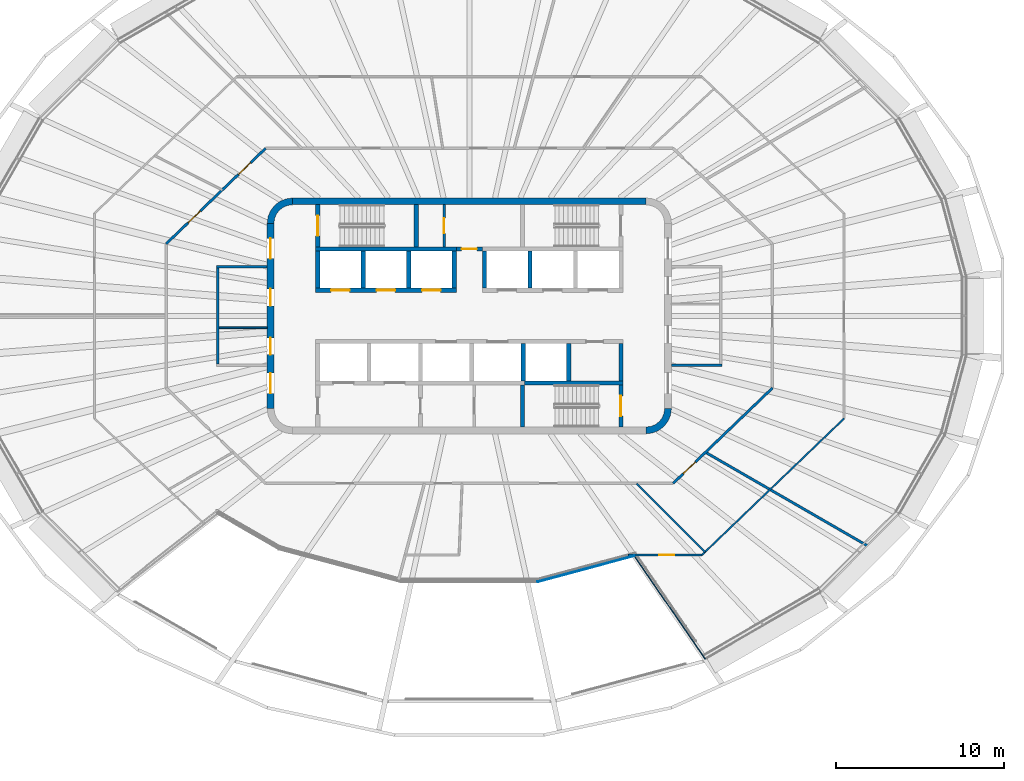
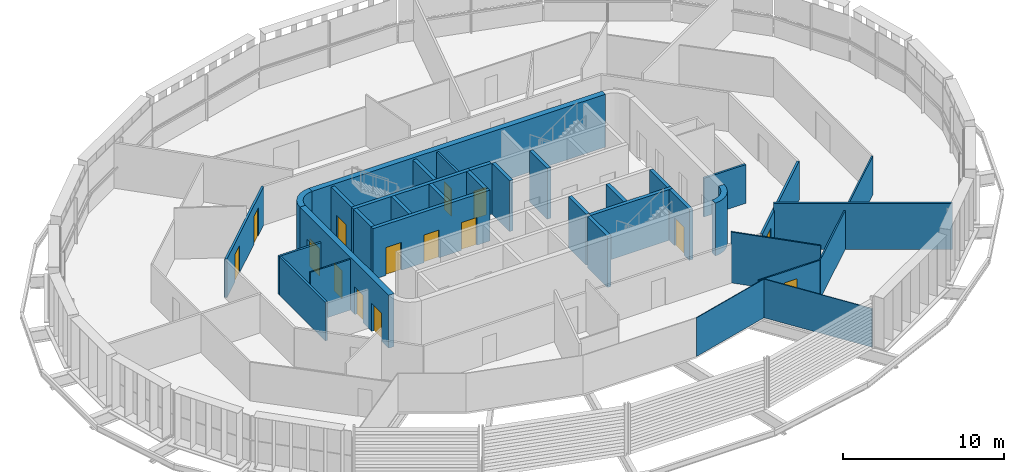
# One storey, part 11 of 19: 34 walls, 15 doors, 15 openings.
"""IFC4 building model written with IfcOpenShell, lengths in metres."""

from ifc_helpers import new_model, si_unit, direction, frame, frame_2d, origin, place, context, subcontext, project, spatial, polyline, rectangle, outline, extrude, material, layer, layer_set, type_object, element, fill, save


model = new_model("IFC4")

# Units and contexts
model_context = context("Model", 3, precision=1e-05, world=origin(), true_north=direction((0.0, 1.0)))
body_context = subcontext(model_context, "Body", "Model", "MODEL_VIEW")
ifc_project = project(units=[si_unit("LENGTHUNIT", "METRE"), si_unit("AREAUNIT", "SQUARE_METRE"), si_unit("VOLUMEUNIT", "CUBIC_METRE"), si_unit("PLANEANGLEUNIT", "RADIAN"), si_unit("MASSUNIT", "GRAM", prefix="KILO")], contexts=[model_context])

# Site, building, storey
site_placement = place(None, origin())
site = spatial("IfcSite", under=ifc_project, at=site_placement, CompositionType="ELEMENT")
building_placement = place(site_placement, origin())
building = spatial("IfcBuilding", under=site, at=building_placement, Name="Sahrelin Media Tower", CompositionType="ELEMENT")
storey_placement = place(building_placement, frame((0.0, 0.0, 275.0)))
storey = spatial("IfcBuildingStorey", under=building, at=storey_placement, Name="L60", CompositionType="ELEMENT", Elevation=275.0)

# Wall
ifc_material_1 = material(Name="Concrete C60/75", Category="concrete")
ifc_layer_1 = layer(ifc_material_1, 0.39990234375)
ifc_layer_set_1 = layer_set([ifc_layer_1], Name="Core wall 400")
wall_type_1 = type_object("IfcWallType", Name="Core wall 400", PredefinedType="SHEAR", material=ifc_layer_set_1)
wall_1_placement = place(storey_placement, frame((-10.5, 6.800048828125, 0.0), z_axis=(0.0, 0.0, 1.0), x_axis=(1.0, 0.0, 0.0)))
element("IfcWall", 1, at=wall_1_placement, inside=storey, type_object=wall_type_1, Name="Core wall N L60", PredefinedType="SHEAR", context=body_context, shape_type="SweptSolid", body=[
    extrude(rectangle(XDim=21.0, YDim=0.39990234375, at=frame_2d((10.5, 0.0))), origin(), (0.0, 0.0, 1.0), 4.0),
])

# Wall, openings, doors
wall_2_placement = place(storey_placement, frame((-11.800048828125, -5.5, 0.0), z_axis=(0.0, 0.0, 1.0), x_axis=(0.0, 1.0, 0.0)))
wall_2 = element("IfcWall", 2, at=wall_2_placement, inside=storey, type_object=wall_type_1, Name="Core wall W L60", PredefinedType="SHEAR", context=body_context, shape_type="SweptSolid", body=[
    extrude(rectangle(XDim=11.0, YDim=0.39990234375, at=frame_2d((5.5, 0.0))), origin(), (0.0, 0.0, 1.0), 4.0),
])
opening_1_placement = place(wall_2_placement, frame((3.199951171875, 0.0, 0.0)))
opening_1 = element("IfcOpeningElement", 3, at=opening_1_placement, cuts=wall_2, Name="Opening L60-D10", PredefinedType="OPENING", context=body_context, shape_type="SweptSolid", body=[
    extrude(rectangle(XDim=1.0, YDim=2.10009765625, at=frame_2d((0.5, 1.050048828125))), frame((0.0, 0.199951171875, 0.0), z_axis=(0.0, -1.0, 0.0), x_axis=(1.0, 0.0, 0.0)), (0.0, 0.0, 1.0), 0.39990234375),
])
opening_2_placement = place(wall_2_placement, frame((6.10009765625, 0.0, 0.0)))
opening_2 = element("IfcOpeningElement", 4, at=opening_2_placement, cuts=wall_2, Name="Opening L60-D11", PredefinedType="OPENING", context=body_context, shape_type="SweptSolid", body=[
    extrude(rectangle(XDim=1.0, YDim=2.10009765625, at=frame_2d((0.5, 1.050048828125))), frame((0.0, 0.199951171875, 0.0), z_axis=(0.0, -1.0, 0.0), x_axis=(1.0, 0.0, 0.0)), (0.0, 0.0, 1.0), 0.39990234375),
])
opening_3_placement = place(wall_2_placement, frame((0.89990234375, 0.0, 0.0)))
opening_3 = element("IfcOpeningElement", 5, at=opening_3_placement, cuts=wall_2, Name="Opening L60-D14", PredefinedType="OPENING", context=body_context, shape_type="SweptSolid", body=[
    extrude(rectangle(XDim=1.199951171875, YDim=2.10009765625, at=frame_2d((0.60009765625, 1.050048828125))), frame((0.0, 0.199951171875, 0.0), z_axis=(0.0, -1.0, 0.0), x_axis=(1.0, 0.0, 0.0)), (0.0, 0.0, 1.0), 0.39990234375),
])
opening_4_placement = place(wall_2_placement, frame((8.89990234375, 0.0, 0.0)))
opening_4 = element("IfcOpeningElement", 6, at=opening_4_placement, cuts=wall_2, Name="Opening L60-D15", PredefinedType="OPENING", context=body_context, shape_type="SweptSolid", body=[
    extrude(rectangle(XDim=1.199951171875, YDim=2.10009765625, at=frame_2d((0.60009765625, 1.050048828125))), frame((0.0, 0.199951171875, 0.0), z_axis=(0.0, -1.0, 0.0), x_axis=(1.0, 0.0, 0.0)), (0.0, 0.0, 1.0), 0.39990234375),
])
ifc_material_2 = material(Name="Steel fire door leaf", Category="steel")
door_type_1 = type_object("IfcDoorType", Name="Fire door 1000 x 2100 EI 60", OperationType="NOTDEFINED", PredefinedType="DOOR", material=ifc_material_2)
door_1_placement = place(opening_1_placement, origin())
door_1 = element("IfcDoor", 7, at=door_1_placement, inside=storey, type_object=door_type_1, Name="Core room door", OperationType="SINGLE_SWING_RIGHT", OverallHeight=2.10009765625, OverallWidth=1.0, PredefinedType="DOOR", context=body_context, shape_type="SweptSolid", body=[
    extrude(rectangle(XDim=1.0, YDim=2.10009765625, at=frame_2d((0.5, 1.050048828125))), frame((0.0, 0.02490234375, 0.0), z_axis=(0.0, -1.0, 0.0), x_axis=(1.0, 0.0, 0.0)), (0.0, 0.0, 1.0), 0.050048828125),
])
fill(opening_1, door_1)
door_2_placement = place(opening_2_placement, origin())
door_2 = element("IfcDoor", 8, at=door_2_placement, inside=storey, type_object=door_type_1, Name="Core room door", OperationType="SINGLE_SWING_RIGHT", OverallHeight=2.10009765625, OverallWidth=1.0, PredefinedType="DOOR", context=body_context, shape_type="SweptSolid", body=[
    extrude(rectangle(XDim=1.0, YDim=2.10009765625, at=frame_2d((0.5, 1.050048828125))), frame((0.0, 0.02490234375, 0.0), z_axis=(0.0, -1.0, 0.0), x_axis=(1.0, 0.0, 0.0)), (0.0, 0.0, 1.0), 0.050048828125),
])
fill(opening_2, door_2)
door_type_2 = type_object("IfcDoorType", Name="Lobby door 1200 x 2100 EI 60", OperationType="NOTDEFINED", PredefinedType="DOOR", material=ifc_material_2)
door_3_placement = place(opening_3_placement, origin())
door_3 = element("IfcDoor", 9, at=door_3_placement, inside=storey, type_object=door_type_2, Name="Lobby door", OperationType="SINGLE_SWING_LEFT", OverallHeight=2.10009765625, OverallWidth=1.199951171875, PredefinedType="DOOR", context=body_context, shape_type="SweptSolid", body=[
    extrude(rectangle(XDim=1.199951171875, YDim=2.10009765625, at=frame_2d((0.60009765625, 1.050048828125))), frame((0.0, 0.02490234375, 0.0), z_axis=(0.0, -1.0, 0.0), x_axis=(1.0, 0.0, 0.0)), (0.0, 0.0, 1.0), 0.050048828125),
])
fill(opening_3, door_3)
door_4_placement = place(opening_4_placement, origin())
door_4 = element("IfcDoor", 10, at=door_4_placement, inside=storey, type_object=door_type_2, Name="Lobby door", OperationType="SINGLE_SWING_LEFT", OverallHeight=2.10009765625, OverallWidth=1.199951171875, PredefinedType="DOOR", context=body_context, shape_type="SweptSolid", body=[
    extrude(rectangle(XDim=1.199951171875, YDim=2.10009765625, at=frame_2d((0.60009765625, 1.050048828125))), frame((0.0, 0.02490234375, 0.0), z_axis=(0.0, -1.0, 0.0), x_axis=(1.0, 0.0, 0.0)), (0.0, 0.0, 1.0), 0.050048828125),
])
fill(opening_4, door_4)

# Walls
placement = place(storey_placement, origin())
element("IfcWall", 11, at=placement, inside=storey, type_object=wall_type_1, Name="Core wall corner NW L60", PredefinedType="SHEAR", context=body_context, shape_type="SweptSolid", body=[
    extrude(outline(polyline([(-12.0, 5.5), (-11.596435546875, 5.5), (-11.55908203125, 5.78369140625), (-11.44970703125, 6.04833984375), (-11.275390625, 6.275390625), (-11.04833984375, 6.44970703125), (-10.78369140625, 6.55908203125), (-10.5, 6.596435546875), (-10.5, 7.0), (-10.88818359375, 6.948974609375), (-11.25, 6.799072265625), (-11.560791015625, 6.560791015625), (-11.799072265625, 6.25), (-11.948974609375, 5.88818359375), (-12.0, 5.5)])), origin(), (0.0, 0.0, 1.0), 4.0),
])
element("IfcWall", 12, at=placement, inside=storey, type_object=wall_type_1, Name="Core wall corner SE L60", PredefinedType="SHEAR", context=body_context, shape_type="SweptSolid", body=[
    extrude(outline(polyline([(12.0, -5.5), (11.596435546875, -5.5), (11.55908203125, -5.78369140625), (11.44970703125, -6.04833984375), (11.275390625, -6.275390625), (11.04833984375, -6.44970703125), (10.78369140625, -6.55908203125), (10.5, -6.596435546875), (10.5, -7.0), (10.88818359375, -6.948974609375), (11.25, -6.799072265625), (11.560791015625, -6.560791015625), (11.799072265625, -6.25), (11.948974609375, -5.88818359375), (12.0, -5.5)])), origin(), (0.0, 0.0, 1.0), 4.0),
])

# Wall, opening, door
ifc_material_3 = material(Name="Fire-rated gypsum board partition")
ifc_layer_2 = layer(ifc_material_3, 0.25)
ifc_layer_set_2 = layer_set([ifc_layer_2], Name="Fire-rated lobby wall 250")
wall_type_2 = type_object("IfcWallType", Name="Fire-rated lobby wall 250", PredefinedType="PARTITIONING", material=ifc_layer_set_2)
wall_5_placement = place(storey_placement, frame((-0.77490234375, 3.97509765625, 0.0), z_axis=(0.0, 0.0, 1.0), x_axis=(1.0, 0.0, 0.0)))
wall_5 = element("IfcWall", 13, at=wall_5_placement, inside=storey, type_object=wall_type_2, Name="Core lobby wall", PredefinedType="PARTITIONING", context=body_context, shape_type="SweptSolid", body=[
    extrude(rectangle(XDim=1.5498046875, YDim=0.25, at=frame_2d((0.77490234375, 0.0))), origin(), (0.0, 0.0, 1.0), 3.85009765625),
])
opening_5_placement = place(wall_5_placement, frame((0.324951171875, 0.0, 0.0)))
opening_5 = element("IfcOpeningElement", 14, at=opening_5_placement, cuts=wall_5, Name="Opening L60-D06", PredefinedType="OPENING", context=body_context, shape_type="SweptSolid", body=[
    extrude(rectangle(XDim=0.89990234375, YDim=2.10009765625, at=frame_2d((0.449951171875, 1.050048828125))), frame((0.0, 0.125, 0.0), z_axis=(0.0, -1.0, 0.0), x_axis=(1.0, 0.0, 0.0)), (0.0, 0.0, 1.0), 0.25),
])
door_type_3 = type_object("IfcDoorType", Name="Riser door 900 x 2100 EI 120", OperationType="NOTDEFINED", PredefinedType="DOOR", material=ifc_material_2)
door_5_placement = place(opening_5_placement, origin())
door_5 = element("IfcDoor", 15, at=door_5_placement, inside=storey, type_object=door_type_3, Name="Core room door", OperationType="SINGLE_SWING_LEFT", OverallHeight=2.10009765625, OverallWidth=0.89990234375, PredefinedType="DOOR", context=body_context, shape_type="SweptSolid", body=[
    extrude(rectangle(XDim=0.89990234375, YDim=2.10009765625, at=frame_2d((0.449951171875, 1.050048828125))), frame((0.0, 0.02490234375, 0.0), z_axis=(0.0, -1.0, 0.0), x_axis=(1.0, 0.0, 0.0)), (0.0, 0.0, 1.0), 0.050048828125),
])
fill(opening_5, door_5)

# Wall
ifc_layer_3 = layer(ifc_material_3, 0.10009765625)
ifc_layer_set_3 = layer_set([ifc_layer_3], Name="Fire-rated partition 100")
wall_type_3 = type_object("IfcWallType", Name="Fire-rated partition 100", PredefinedType="PARTITIONING", material=ifc_layer_set_3)
wall_6_placement = place(storey_placement, frame((-14.85009765625, -0.699951171875, 0.0), z_axis=(0.0, 0.0, 1.0), x_axis=(1.0, 0.0, 0.0)))
element("IfcWall", 16, at=wall_6_placement, inside=storey, type_object=wall_type_3, Name="Core room partition", PredefinedType="PARTITIONING", context=body_context, shape_type="SweptSolid", body=[
    extrude(rectangle(XDim=2.85009765625, YDim=0.10009765625, at=frame_2d((1.425048828125, 0.0))), origin(), (0.0, 0.0, 1.0), 3.85009765625),
])

# Wall, opening, door
ifc_layer_4 = layer(ifc_material_3, 0.14990234375)
ifc_layer_set_4 = layer_set([ifc_layer_4], Name="Fire-rated partition 150")
wall_type_4 = type_object("IfcWallType", Name="Fire-rated partition 150", PredefinedType="PARTITIONING", material=ifc_layer_set_4)
wall_7_placement = place(storey_placement, frame((-1.5, 4.10009765625, 0.0), z_axis=(0.0, 0.0, 1.0), x_axis=(0.0, 1.0, 0.0)))
wall_7 = element("IfcWall", 17, at=wall_7_placement, inside=storey, type_object=wall_type_4, Name="Core room fire partition", PredefinedType="PARTITIONING", context=body_context, shape_type="SweptSolid", body=[
    extrude(rectangle(XDim=2.5, YDim=0.14990234375, at=frame_2d((1.25, 0.0))), origin(), (0.0, 0.0, 1.0), 3.85009765625),
])
opening_6_placement = place(wall_7_placement, frame((0.800048828125, 0.0, 0.0)))
opening_6 = element("IfcOpeningElement", 18, at=opening_6_placement, cuts=wall_7, Name="Opening L60-D07", PredefinedType="OPENING", context=body_context, shape_type="SweptSolid", body=[
    extrude(rectangle(XDim=0.89990234375, YDim=2.10009765625, at=frame_2d((0.449951171875, 1.050048828125))), frame((0.0, 0.074951171875, 0.0), z_axis=(0.0, -1.0, 0.0), x_axis=(1.0, 0.0, 0.0)), (0.0, 0.0, 1.0), 0.14990234375),
])
door_type_4 = type_object("IfcDoorType", Name="Fire door 900 x 2100 EI 60", OperationType="NOTDEFINED", PredefinedType="DOOR", material=ifc_material_2)
door_6_placement = place(opening_6_placement, origin())
door_6 = element("IfcDoor", 19, at=door_6_placement, inside=storey, type_object=door_type_4, Name="Core room door", OperationType="SINGLE_SWING_LEFT", OverallHeight=2.10009765625, OverallWidth=0.89990234375, PredefinedType="DOOR", context=body_context, shape_type="SweptSolid", body=[
    extrude(rectangle(XDim=0.89990234375, YDim=2.10009765625, at=frame_2d((0.449951171875, 1.050048828125))), frame((0.0, 0.02490234375, 0.0), z_axis=(0.0, -1.0, 0.0), x_axis=(1.0, 0.0, 0.0)), (0.0, 0.0, 1.0), 0.050048828125),
])
fill(opening_6, door_6)

# Walls
wall_8_placement = place(storey_placement, frame((-14.925048828125, -2.85009765625, 0.0), z_axis=(0.0, 0.0, 1.0), x_axis=(0.0, 1.0, 0.0)))
element("IfcWall", 20, at=wall_8_placement, inside=storey, type_object=wall_type_4, Name="Core room fire partition", PredefinedType="PARTITIONING", context=body_context, shape_type="SweptSolid", body=[
    extrude(rectangle(XDim=5.7001953125, YDim=0.14990234375, at=frame_2d((2.85009765625, 0.0))), origin(), (0.0, 0.0, 1.0), 2.918212890625),
])
for number, where, z_axis, x_axis, name in (
    (21, (-15.0, 2.925048828125, 0.0), (0.0, 0.0, 1.0), (1.0, 0.0, 0.0), "Core room fire partition"),
    (22, (12.0, -2.925048828125, 0.0), (0.0, 0.0, 1.0), (1.0, 0.0, 0.0), "Core room fire partition"),
):
    element("IfcWall", number, at=place(storey_placement, frame(where, z_axis=z_axis, x_axis=x_axis)), inside=storey, type_object=wall_type_4, Name=name, PredefinedType="PARTITIONING", context=body_context, shape_type="SweptSolid", body=[
        extrude(rectangle(XDim=3.0, YDim=0.14990234375, at=frame_2d((1.5, 0.0))), origin(), (0.0, 0.0, 1.0), 2.927001953125),
    ])
wall_9_placement = place(storey_placement, frame((14.02392578125, -8.096923828125, 0.0), z_axis=(0.0, 0.0, 1.0), x_axis=(0.86601678782, -0.50001492299, 0.0)))
element("IfcWall", 23, at=wall_9_placement, inside=storey, type_object=wall_type_4, Name="Wall", PredefinedType="PARTITIONING", context=body_context, shape_type="SweptSolid", body=[
    extrude(rectangle(XDim=11.103759765625, YDim=0.14990234375, at=frame_2d((5.5517578125, 0.0))), origin(), (0.0, 0.0, 1.0), 3.47509765625),
])

# Wall, opening, door
wall_10_placement = place(storey_placement, frame((12.094970703125, -9.948974609375, 0.0), z_axis=(0.0, 0.0, 1.0), x_axis=(0.721290181137, 0.692633001376, 0.0)))
wall_10 = element("IfcWall", 24, at=wall_10_placement, inside=storey, type_object=wall_type_4, Name="Wall", PredefinedType="PARTITIONING", context=body_context, shape_type="SweptSolid", body=[
    extrude(rectangle(XDim=8.18701171875, YDim=0.14990234375, at=frame_2d((4.093505859375, 0.0))), origin(), (0.0, 0.0, 1.0), 2.927001953125),
])
opening_7_placement = place(wall_10_placement, frame((0.839111328125, 0.0, 0.0)))
opening_7 = element("IfcOpeningElement", 25, at=opening_7_placement, cuts=wall_10, Name="Opening L60-D23", PredefinedType="OPENING", context=body_context, shape_type="SweptSolid", body=[
    extrude(rectangle(XDim=1.0, YDim=2.10009765625, at=frame_2d((0.5, 1.050048828125))), frame((0.0, 0.074951171875, 0.0), z_axis=(0.0, -1.0, 0.0), x_axis=(1.0, 0.0, 0.0)), (0.0, 0.0, 1.0), 0.14990234375),
])
door_7_placement = place(opening_7_placement, origin())
door_7 = element("IfcDoor", 26, at=door_7_placement, inside=storey, type_object=door_type_1, Name="Fire door", OperationType="SINGLE_SWING_RIGHT", OverallHeight=2.10009765625, OverallWidth=1.0, PredefinedType="DOOR", context=body_context, shape_type="SweptSolid", body=[
    extrude(rectangle(XDim=1.0, YDim=2.10009765625, at=frame_2d((0.5, 1.050048828125))), frame((0.0, 0.02490234375, 0.0), z_axis=(0.0, -1.0, 0.0), x_axis=(1.0, 0.0, 0.0)), (0.0, 0.0, 1.0), 0.050048828125),
])
fill(opening_7, door_7)

# Wall, openings, doors
wall_11_placement = place(storey_placement, frame((-18.0, 4.278076171875, 0.0), z_axis=(0.0, 0.0, 1.0), x_axis=(0.721290181137, 0.692633001376, 0.0)))
wall_11 = element("IfcWall", 27, at=wall_11_placement, inside=storey, type_object=wall_type_4, Name="Wall", PredefinedType="PARTITIONING", context=body_context, shape_type="SweptSolid", body=[
    extrude(rectangle(XDim=8.18701171875, YDim=0.14990234375, at=frame_2d((4.093505859375, 0.0))), origin(), (0.0, 0.0, 1.0), 2.927001953125),
])
opening_8_placement = place(wall_11_placement, frame((5.954833984375, 0.0, 0.0)))
opening_8 = element("IfcOpeningElement", 28, at=opening_8_placement, cuts=wall_11, Name="Opening L60-D34", PredefinedType="OPENING", context=body_context, shape_type="SweptSolid", body=[
    extrude(rectangle(XDim=1.0, YDim=2.10009765625, at=frame_2d((0.5, 1.050048828125))), frame((0.0, 0.074951171875, 0.0), z_axis=(0.0, -1.0, 0.0), x_axis=(1.0, 0.0, 0.0)), (0.0, 0.0, 1.0), 0.14990234375),
])
opening_9_placement = place(wall_11_placement, frame((1.80810546875, 0.0, 0.0)))
opening_9 = element("IfcOpeningElement", 29, at=opening_9_placement, cuts=wall_11, Name="Opening L60-D35", PredefinedType="OPENING", context=body_context, shape_type="SweptSolid", body=[
    extrude(rectangle(XDim=1.0, YDim=2.10009765625, at=frame_2d((0.5, 1.050048828125))), frame((0.0, 0.074951171875, 0.0), z_axis=(0.0, -1.0, 0.0), x_axis=(1.0, 0.0, 0.0)), (0.0, 0.0, 1.0), 0.14990234375),
])
door_8_placement = place(opening_8_placement, origin())
door_8 = element("IfcDoor", 30, at=door_8_placement, inside=storey, type_object=door_type_1, Name="Fire door", OperationType="SINGLE_SWING_RIGHT", OverallHeight=2.10009765625, OverallWidth=1.0, PredefinedType="DOOR", context=body_context, shape_type="SweptSolid", body=[
    extrude(rectangle(XDim=1.0, YDim=2.10009765625, at=frame_2d((0.5, 1.050048828125))), frame((0.0, 0.02490234375, 0.0), z_axis=(0.0, -1.0, 0.0), x_axis=(1.0, 0.0, 0.0)), (0.0, 0.0, 1.0), 0.050048828125),
])
fill(opening_8, door_8)
door_9_placement = place(opening_9_placement, origin())
door_9 = element("IfcDoor", 31, at=door_9_placement, inside=storey, type_object=door_type_1, Name="Fire door", OperationType="SINGLE_SWING_RIGHT", OverallHeight=2.10009765625, OverallWidth=1.0, PredefinedType="DOOR", context=body_context, shape_type="SweptSolid", body=[
    extrude(rectangle(XDim=1.0, YDim=2.10009765625, at=frame_2d((0.5, 1.050048828125))), frame((0.0, 0.02490234375, 0.0), z_axis=(0.0, -1.0, 0.0), x_axis=(1.0, 0.0, 0.0)), (0.0, 0.0, 1.0), 0.050048828125),
])
fill(opening_9, door_9)

# Walls
ifc_material_4 = material(Name="Clear glass", Category="glass")
ifc_layer_5 = layer(ifc_material_4, 0.050048828125)
ifc_layer_set_5 = layer_set([ifc_layer_5], Name="Glazed partition 50")
wall_type_5 = type_object("IfcWallType", Name="Glazed partition 50", PredefinedType="PARTITIONING", material=ifc_layer_set_5)
wall_12_placement = place(storey_placement, frame((9.797119140625, -14.2509765625, 0.0), z_axis=(0.0, 0.0, 1.0), x_axis=(0.566456270614, -0.824091799184, 0.0)))
element("IfcWall", 32, at=wall_12_placement, inside=storey, type_object=wall_type_5, Name="Wall", PredefinedType="PARTITIONING", context=body_context, shape_type="SweptSolid", body=[
    extrude(rectangle(XDim=7.426513671875, YDim=0.050048828125, at=frame_2d((3.71337890625, 0.0))), origin(), (0.0, 0.0, 1.0), 2.927001953125),
])
wall_13_placement = place(storey_placement, frame((4.053955078125, -15.7900390625, 0.0), z_axis=(0.0, 0.0, 1.0), x_axis=(0.965719156344, 0.259589119708, 0.0)))
element("IfcWall", 33, at=wall_13_placement, inside=storey, type_object=wall_type_5, Name="Wall", PredefinedType="PARTITIONING", context=body_context, shape_type="SweptSolid", body=[
    extrude(rectangle(XDim=5.94580078125, YDim=0.050048828125, at=frame_2d((2.972900390625, 0.0))), origin(), (0.0, 0.0, 1.0), 2.927001953125),
])

# Wall, openings, doors
ifc_layer_6 = layer(ifc_material_1, 0.25)
ifc_layer_set_6 = layer_set([ifc_layer_6], Name="Lift shaft wall 250")
wall_type_6 = type_object("IfcWallType", Name="Lift shaft wall 250", PredefinedType="SOLIDWALL", material=ifc_layer_set_6)
wall_14_placement = place(storey_placement, frame((-9.125, 1.52490234375, 0.0), z_axis=(0.0, 0.0, 1.0), x_axis=(1.0, 0.0, 0.0)))
wall_14 = element("IfcWall", 34, at=wall_14_placement, inside=storey, type_object=wall_type_6, Name="Lift shaft wall", PredefinedType="SOLIDWALL", context=body_context, shape_type="SweptSolid", body=[
    extrude(rectangle(XDim=8.35009765625, YDim=0.25, at=frame_2d((4.175048828125, 0.0))), origin(), (0.0, 0.0, 1.0), 3.85009765625),
])
opening_10_placement = place(wall_14_placement, frame((0.925048828125, 0.0, 0.0)))
opening_10 = element("IfcOpeningElement", 35, at=opening_10_placement, cuts=wall_14, Name="Opening L60-LD-HR1", PredefinedType="OPENING", context=body_context, shape_type="SweptSolid", body=[
    extrude(rectangle(XDim=1.10009765625, YDim=2.10009765625, at=frame_2d((0.550048828125, 1.050048828125))), frame((0.0, 0.125, 0.0), z_axis=(0.0, -1.0, 0.0), x_axis=(1.0, 0.0, 0.0)), (0.0, 0.0, 1.0), 0.25),
])
opening_11_placement = place(wall_14_placement, frame((3.625, 0.0, 0.0)))
opening_11 = element("IfcOpeningElement", 36, at=opening_11_placement, cuts=wall_14, Name="Opening L60-LD-HR2", PredefinedType="OPENING", context=body_context, shape_type="SweptSolid", body=[
    extrude(rectangle(XDim=1.10009765625, YDim=2.10009765625, at=frame_2d((0.550048828125, 1.050048828125))), frame((0.0, 0.125, 0.0), z_axis=(0.0, -1.0, 0.0), x_axis=(1.0, 0.0, 0.0)), (0.0, 0.0, 1.0), 0.25),
])
opening_12_placement = place(wall_14_placement, frame((6.324951171875, 0.0, 0.0)))
opening_12 = element("IfcOpeningElement", 37, at=opening_12_placement, cuts=wall_14, Name="Opening L60-LD-HR3", PredefinedType="OPENING", context=body_context, shape_type="SweptSolid", body=[
    extrude(rectangle(XDim=1.10009765625, YDim=2.10009765625, at=frame_2d((0.550048828125, 1.050048828125))), frame((0.0, 0.125, 0.0), z_axis=(0.0, -1.0, 0.0), x_axis=(1.0, 0.0, 0.0)), (0.0, 0.0, 1.0), 0.25),
])
ifc_material_5 = material(Name="Stainless steel", Category="steel")
door_type_5 = type_object("IfcDoorType", Name="Lift landing door 1100 x 2100 EI 120", OperationType="DOUBLE_DOOR_SLIDING", PredefinedType="DOOR", material=ifc_material_5)
door_10_placement = place(opening_10_placement, origin())
door_10 = element("IfcDoor", 38, at=door_10_placement, inside=storey, type_object=door_type_5, Name="Lift landing door HR1", OperationType="DOUBLE_DOOR_SLIDING", OverallHeight=2.10009765625, OverallWidth=1.10009765625, PredefinedType="DOOR", context=body_context, shape_type="SweptSolid", body=[
    extrude(rectangle(XDim=1.10009765625, YDim=2.10009765625, at=frame_2d((0.550048828125, 1.050048828125))), frame((0.0, 0.02490234375, 0.0), z_axis=(0.0, -1.0, 0.0), x_axis=(1.0, 0.0, 0.0)), (0.0, 0.0, 1.0), 0.050048828125),
])
fill(opening_10, door_10)
door_11_placement = place(opening_11_placement, origin())
door_11 = element("IfcDoor", 39, at=door_11_placement, inside=storey, type_object=door_type_5, Name="Lift landing door HR2", OperationType="DOUBLE_DOOR_SLIDING", OverallHeight=2.10009765625, OverallWidth=1.10009765625, PredefinedType="DOOR", context=body_context, shape_type="SweptSolid", body=[
    extrude(rectangle(XDim=1.10009765625, YDim=2.10009765625, at=frame_2d((0.550048828125, 1.050048828125))), frame((0.0, 0.02490234375, 0.0), z_axis=(0.0, -1.0, 0.0), x_axis=(1.0, 0.0, 0.0)), (0.0, 0.0, 1.0), 0.050048828125),
])
fill(opening_11, door_11)
door_12_placement = place(opening_12_placement, origin())
door_12 = element("IfcDoor", 40, at=door_12_placement, inside=storey, type_object=door_type_5, Name="Lift landing door HR3", OperationType="DOUBLE_DOOR_SLIDING", OverallHeight=2.10009765625, OverallWidth=1.10009765625, PredefinedType="DOOR", context=body_context, shape_type="SweptSolid", body=[
    extrude(rectangle(XDim=1.10009765625, YDim=2.10009765625, at=frame_2d((0.550048828125, 1.050048828125))), frame((0.0, 0.02490234375, 0.0), z_axis=(0.0, -1.0, 0.0), x_axis=(1.0, 0.0, 0.0)), (0.0, 0.0, 1.0), 0.050048828125),
])
fill(opening_12, door_12)

# Walls
wall_15_placement = place(storey_placement, frame((-9.125, 3.97509765625, 0.0), z_axis=(0.0, 0.0, 1.0), x_axis=(1.0, 0.0, 0.0)))
element("IfcWall", 41, at=wall_15_placement, inside=storey, type_object=wall_type_6, Name="Lift shaft wall", PredefinedType="SOLIDWALL", context=body_context, shape_type="SweptSolid", body=[
    extrude(rectangle(XDim=8.35009765625, YDim=0.25, at=frame_2d((4.175048828125, 0.0))), origin(), (0.0, 0.0, 1.0), 3.85009765625),
])
for number, where, z_axis, x_axis, name in (
    (42, (-9.0, 1.64990234375, 0.0), (0.0, 0.0, 1.0), (0.0, 1.0, 0.0), "Lift shaft wall"),
    (43, (-6.300048828125, 1.64990234375, 0.0), (0.0, 0.0, 1.0), (0.0, 1.0, 0.0), "Lift shaft wall"),
    (44, (-3.60009765625, 1.64990234375, 0.0), (0.0, 0.0, 1.0), (0.0, 1.0, 0.0), "Lift shaft wall"),
    (45, (3.60009765625, 1.64990234375, 0.0), (0.0, 0.0, 1.0), (0.0, 1.0, 0.0), "Lift shaft wall"),
    (46, (-0.89990234375, 1.64990234375, 0.0), (0.0, 0.0, 1.0), (0.0, 1.0, 0.0), "Lift shaft wall"),
    (47, (0.89990234375, 1.64990234375, 0.0), (0.0, 0.0, 1.0), (0.0, 1.0, 0.0), "Lift shaft wall"),
):
    element("IfcWall", number, at=place(storey_placement, frame(where, z_axis=z_axis, x_axis=x_axis)), inside=storey, type_object=wall_type_6, Name=name, PredefinedType="SOLIDWALL", context=body_context, shape_type="SweptSolid", body=[
        extrude(rectangle(XDim=2.2001953125, YDim=0.25, at=frame_2d((1.10009765625, 0.0))), origin(), (0.0, 0.0, 1.0), 3.85009765625),
    ])
wall_16_placement = place(storey_placement, frame((3.27490234375, -3.97509765625, 0.0), z_axis=(0.0, 0.0, 1.0), x_axis=(1.0, 0.0, 0.0)))
element("IfcWall", 48, at=wall_16_placement, inside=storey, type_object=wall_type_6, Name="Lift shaft wall", PredefinedType="SOLIDWALL", context=body_context, shape_type="SweptSolid", body=[
    extrude(rectangle(XDim=5.85009765625, YDim=0.25, at=frame_2d((2.925048828125, 0.0))), origin(), (0.0, 0.0, 1.0), 3.85009765625),
])
for number, where, z_axis, x_axis, name in (
    (49, (3.199951171875, -3.85009765625, 0.0), (0.0, 0.0, 1.0), (0.0, 1.0, 0.0), "Lift shaft wall"),
    (50, (5.89990234375, -3.85009765625, 0.0), (0.0, 0.0, 1.0), (0.0, 1.0, 0.0), "Lift shaft wall"),
    (51, (9.0, -3.85009765625, 0.0), (0.0, 0.0, 1.0), (0.0, 1.0, 0.0), "Lift shaft wall"),
):
    element("IfcWall", number, at=place(storey_placement, frame(where, z_axis=z_axis, x_axis=x_axis)), inside=storey, type_object=wall_type_6, Name=name, PredefinedType="SOLIDWALL", context=body_context, shape_type="SweptSolid", body=[
        extrude(rectangle(XDim=2.2001953125, YDim=0.25, at=frame_2d((1.10009765625, 0.0))), origin(), (0.0, 0.0, 1.0), 3.85009765625),
    ])
ifc_material_6 = material(Name="Gypsum board partition")
ifc_layer_7 = layer(ifc_material_6, 0.10009765625)
ifc_layer_set_7 = layer_set([ifc_layer_7], Name="Partition 100")
wall_type_7 = type_object("IfcWallType", Name="Partition 100", PredefinedType="PARTITIONING", material=ifc_layer_set_7)
wall_17_placement = place(storey_placement, frame((9.930908203125, -9.948974609375, 0.0), z_axis=(0.0, 0.0, 1.0), x_axis=(0.706405887394, -0.707806980932, 0.0)))
element("IfcWall", 52, at=wall_17_placement, inside=storey, type_object=wall_type_7, Name="Wall", PredefinedType="PARTITIONING", context=body_context, shape_type="SweptSolid", body=[
    extrude(rectangle(XDim=5.750244140625, YDim=0.10009765625, at=frame_2d((2.875, 0.0))), origin(), (0.0, 0.0, 1.0), 3.85009765625),
])

# Wall, opening, door
wall_18_placement = place(storey_placement, frame((9.445068359375, -14.198974609375, 0.0), z_axis=(0.0, 0.0, 1.0), x_axis=(1.0, 0.0, 0.0)))
wall_18 = element("IfcWall", 53, at=wall_18_placement, inside=storey, type_object=wall_type_7, Name="Wall", PredefinedType="PARTITIONING", context=body_context, shape_type="SweptSolid", body=[
    extrude(rectangle(XDim=4.35986328125, YDim=0.10009765625, at=frame_2d((2.179931640625, 0.0))), origin(), (0.0, 0.0, 1.0), 2.927001953125),
])
opening_13_placement = place(wall_18_placement, frame((1.832763671875, 0.0, 0.0)))
opening_13 = element("IfcOpeningElement", 54, at=opening_13_placement, cuts=wall_18, Name="Opening L60-D24", PredefinedType="OPENING", context=body_context, shape_type="SweptSolid", body=[
    extrude(rectangle(XDim=0.89990234375, YDim=2.10009765625, at=frame_2d((0.449951171875, 1.050048828125))), frame((0.0, 0.050048828125, 0.0), z_axis=(0.0, -1.0, 0.0), x_axis=(1.0, 0.0, 0.0)), (0.0, 0.0, 1.0), 0.10009765625),
])
ifc_material_7 = material(Name="Timber door leaf", Category="wood")
door_type_6 = type_object("IfcDoorType", Name="Single door 900 x 2100", OperationType="NOTDEFINED", PredefinedType="DOOR", material=ifc_material_7)
door_13_placement = place(opening_13_placement, origin())
door_13 = element("IfcDoor", 55, at=door_13_placement, inside=storey, type_object=door_type_6, Name="Single door", OperationType="SINGLE_SWING_RIGHT", OverallHeight=2.10009765625, OverallWidth=0.89990234375, PredefinedType="DOOR", context=body_context, shape_type="SweptSolid", body=[
    extrude(rectangle(XDim=0.89990234375, YDim=2.10009765625, at=frame_2d((0.449951171875, 1.050048828125))), frame((0.0, 0.02490234375, 0.0), z_axis=(0.0, -1.0, 0.0), x_axis=(1.0, 0.0, 0.0)), (0.0, 0.0, 1.0), 0.050048828125),
])
fill(opening_13, door_13)

# Wall
wall_19_placement = place(storey_placement, frame((13.804931640625, -14.198974609375, 0.0), z_axis=(0.0, 0.0, 1.0), x_axis=(0.721439820897, 0.69247713668, 0.0)))
element("IfcWall", 56, at=wall_19_placement, inside=storey, type_object=wall_type_7, Name="Wall", PredefinedType="PARTITIONING", context=body_context, shape_type="SweptSolid", body=[
    extrude(rectangle(XDim=11.70849609375, YDim=0.10009765625, at=frame_2d((5.854248046875, 0.0))), origin(), (0.0, 0.0, 1.0), 2.927001953125),
])

# Wall, opening, door
ifc_layer_8 = layer(ifc_material_1, 0.25)
ifc_layer_set_8 = layer_set([ifc_layer_8], Name="Stair enclosure wall 250")
wall_type_8 = type_object("IfcWallType", Name="Stair enclosure wall 250", PredefinedType="SOLIDWALL", material=ifc_layer_set_8)
wall_20_placement = place(storey_placement, frame((-9.0, 4.10009765625, 0.0), z_axis=(0.0, 0.0, 1.0), x_axis=(0.0, 1.0, 0.0)))
wall_20 = element("IfcWall", 57, at=wall_20_placement, inside=storey, type_object=wall_type_8, Name="Stair enclosure wall", PredefinedType="SOLIDWALL", context=body_context, shape_type="SweptSolid", body=[
    extrude(rectangle(XDim=2.5, YDim=0.25, at=frame_2d((1.25, 0.0))), origin(), (0.0, 0.0, 1.0), 3.85009765625),
])
opening_14_placement = place(wall_20_placement, frame((0.64990234375, 0.0, 0.0)))
opening_14 = element("IfcOpeningElement", 58, at=opening_14_placement, cuts=wall_20, Name="Opening L60-D01", PredefinedType="OPENING", context=body_context, shape_type="SweptSolid", body=[
    extrude(rectangle(XDim=1.199951171875, YDim=2.10009765625, at=frame_2d((0.60009765625, 1.050048828125))), frame((0.0, 0.125, 0.0), z_axis=(0.0, -1.0, 0.0), x_axis=(1.0, 0.0, 0.0)), (0.0, 0.0, 1.0), 0.25),
])
door_type_7 = type_object("IfcDoorType", Name="Stair door 1200 x 2100 EI 120", OperationType="NOTDEFINED", PredefinedType="DOOR", material=ifc_material_2)
door_14_placement = place(opening_14_placement, origin())
door_14 = element("IfcDoor", 59, at=door_14_placement, inside=storey, type_object=door_type_7, Name="Stair door ST1", OperationType="SINGLE_SWING_RIGHT", OverallHeight=2.10009765625, OverallWidth=1.199951171875, PredefinedType="DOOR", context=body_context, shape_type="SweptSolid", body=[
    extrude(rectangle(XDim=1.199951171875, YDim=2.10009765625, at=frame_2d((0.60009765625, 1.050048828125))), frame((0.0, 0.02490234375, 0.0), z_axis=(0.0, -1.0, 0.0), x_axis=(1.0, 0.0, 0.0)), (0.0, 0.0, 1.0), 0.050048828125),
])
fill(opening_14, door_14)

wall_21_placement = place(storey_placement, frame((9.0, -6.60009765625, 0.0), z_axis=(0.0, 0.0, 1.0), x_axis=(0.0, 1.0, 0.0)))
wall_21 = element("IfcWall", 60, at=wall_21_placement, inside=storey, type_object=wall_type_8, Name="Stair enclosure wall", PredefinedType="SOLIDWALL", context=body_context, shape_type="SweptSolid", body=[
    extrude(rectangle(XDim=2.5, YDim=0.25, at=frame_2d((1.25, 0.0))), origin(), (0.0, 0.0, 1.0), 3.85009765625),
])
opening_15_placement = place(wall_21_placement, frame((0.64990234375, 0.0, 0.0)))
opening_15 = element("IfcOpeningElement", 61, at=opening_15_placement, cuts=wall_21, Name="Opening L60-D03", PredefinedType="OPENING", context=body_context, shape_type="SweptSolid", body=[
    extrude(rectangle(XDim=1.199951171875, YDim=2.10009765625, at=frame_2d((0.60009765625, 1.050048828125))), frame((0.0, 0.125, 0.0), z_axis=(0.0, -1.0, 0.0), x_axis=(1.0, 0.0, 0.0)), (0.0, 0.0, 1.0), 0.25),
])
door_15_placement = place(opening_15_placement, origin())
door_15 = element("IfcDoor", 62, at=door_15_placement, inside=storey, type_object=door_type_7, Name="Stair door ST2", OperationType="SINGLE_SWING_LEFT", OverallHeight=2.10009765625, OverallWidth=1.199951171875, PredefinedType="DOOR", context=body_context, shape_type="SweptSolid", body=[
    extrude(rectangle(XDim=1.199951171875, YDim=2.10009765625, at=frame_2d((0.60009765625, 1.050048828125))), frame((0.0, 0.02490234375, 0.0), z_axis=(0.0, -1.0, 0.0), x_axis=(1.0, 0.0, 0.0)), (0.0, 0.0, 1.0), 0.050048828125),
])
fill(opening_15, door_15)

# Walls
for number, where, z_axis, x_axis, name in (
    (63, (-3.14990234375, 4.10009765625, 0.0), (0.0, 0.0, 1.0), (0.0, 1.0, 0.0), "Stair enclosure wall"),
    (64, (3.14990234375, -6.60009765625, 0.0), (0.0, 0.0, 1.0), (0.0, 1.0, 0.0), "Stair enclosure wall"),
):
    element("IfcWall", number, at=place(storey_placement, frame(where, z_axis=z_axis, x_axis=x_axis)), inside=storey, type_object=wall_type_8, Name=name, PredefinedType="SOLIDWALL", context=body_context, shape_type="SweptSolid", body=[
        extrude(rectangle(XDim=2.5, YDim=0.25, at=frame_2d((1.25, 0.0))), origin(), (0.0, 0.0, 1.0), 3.85009765625),
    ])

save(model, "model.ifc")
